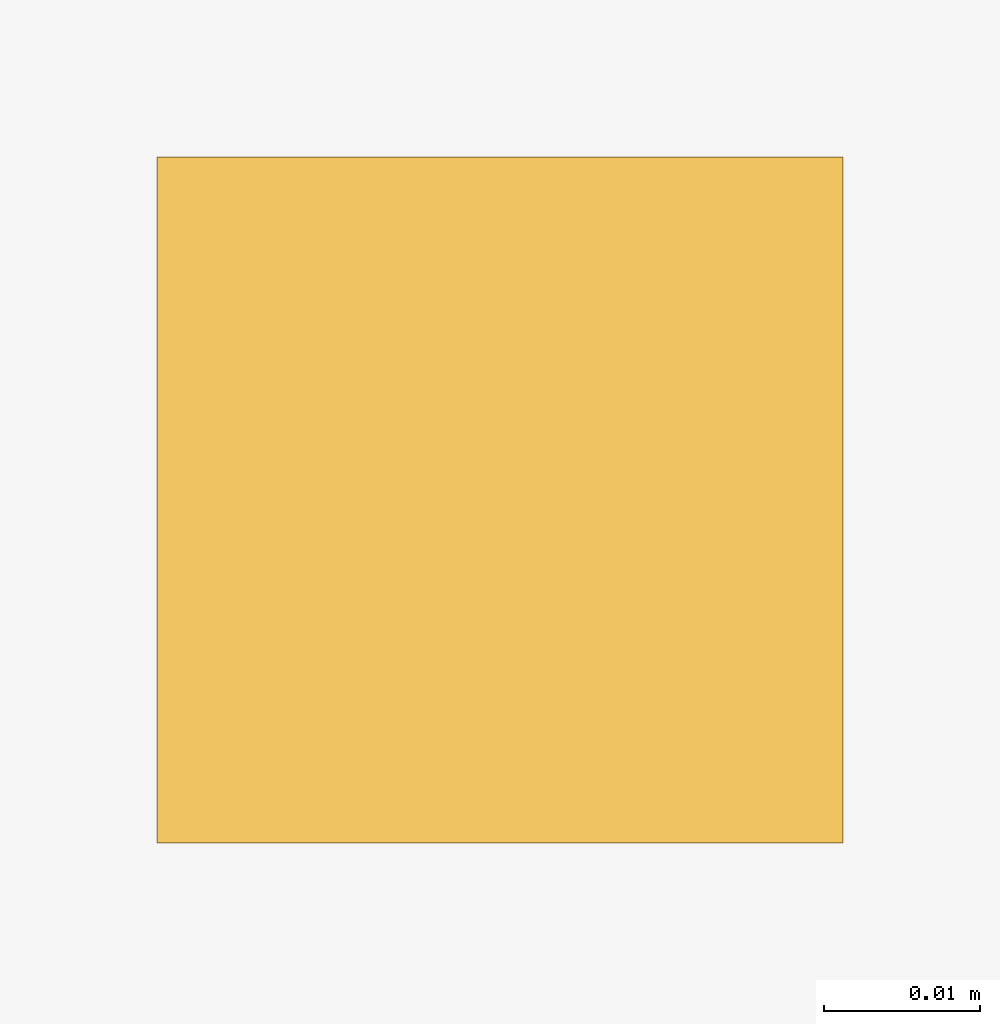
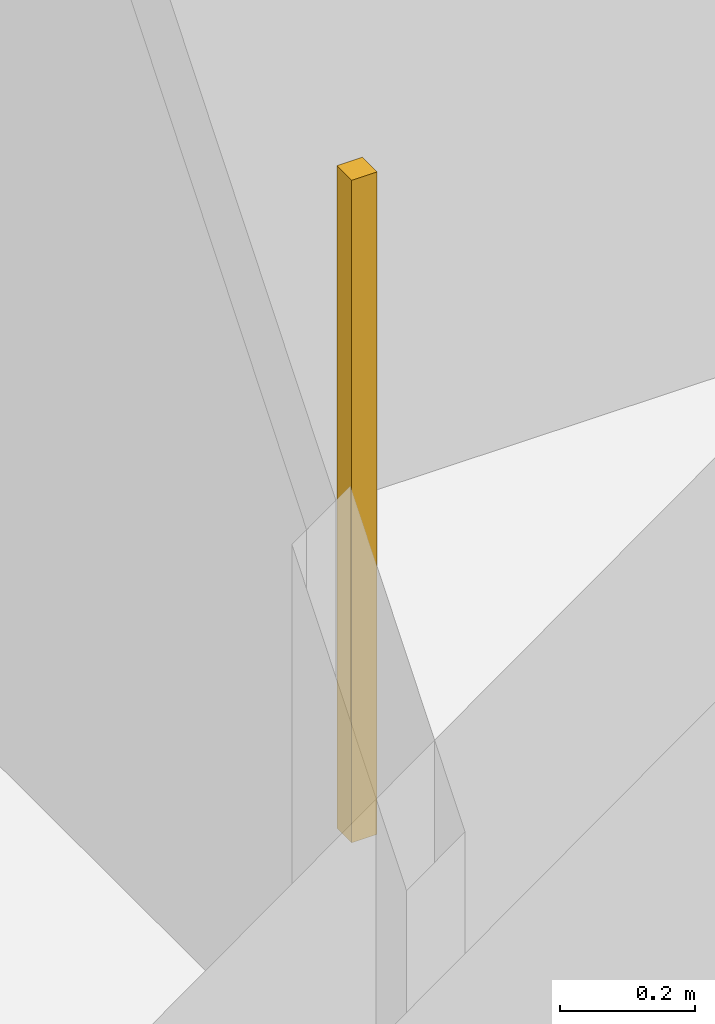
# One storey, part 8 of 10: 1 railing.
"""IFC4 building model written with IfcOpenShell, lengths in metres."""

from ifc_helpers import new_model, si_unit, direction, frame, origin, origin_2d, place, context, subcontext, project, spatial, rectangle, extrude, material, type_object, element, save


model = new_model("IFC4")

# Units and contexts
model_context = context("Model", 3, precision=1e-05, world=origin(), true_north=direction((0.0, 1.0)))
body_context = subcontext(model_context, "Body", "Model", "MODEL_VIEW")
ifc_project = project(units=[si_unit("LENGTHUNIT", "METRE"), si_unit("AREAUNIT", "SQUARE_METRE"), si_unit("VOLUMEUNIT", "CUBIC_METRE"), si_unit("PLANEANGLEUNIT", "RADIAN"), si_unit("MASSUNIT", "GRAM", prefix="KILO")], contexts=[model_context])

# Site, building, storey
site_placement = place(None, origin())
site = spatial("IfcSite", under=ifc_project, at=site_placement, CompositionType="ELEMENT")
building_placement = place(site_placement, origin())
building = spatial("IfcBuilding", under=site, at=building_placement, Name="Yunling Apex Tower", CompositionType="ELEMENT")
storey_placement = place(building_placement, frame((0.0, 0.0, 300.199951171875)))
storey = spatial("IfcBuildingStorey", under=building, at=storey_placement, Name="L73", CompositionType="ELEMENT", Elevation=300.199951171875)

# Railing
ifc_material = material(Name="Bronze anodised aluminium", Category="aluminium")
railing_type = type_object("IfcRailingType", Name="RL-BAL-1200", PredefinedType="BALUSTRADE", material=ifc_material)
railing_placement = place(storey_placement, origin())
element("IfcRailing", 1, at=railing_placement, inside=storey, type_object=railing_type, Name="RL-TATR-L73", PredefinedType="BALUSTRADE", context=body_context, shape_type="SweptSolid", body=[
    extrude(rectangle(XDim=0.0439453125, YDim=0.0439453125, at=origin_2d()), origin(), (0.0, 0.0, 1.0), 1.199951171875),
])

save(model, "model.ifc")
